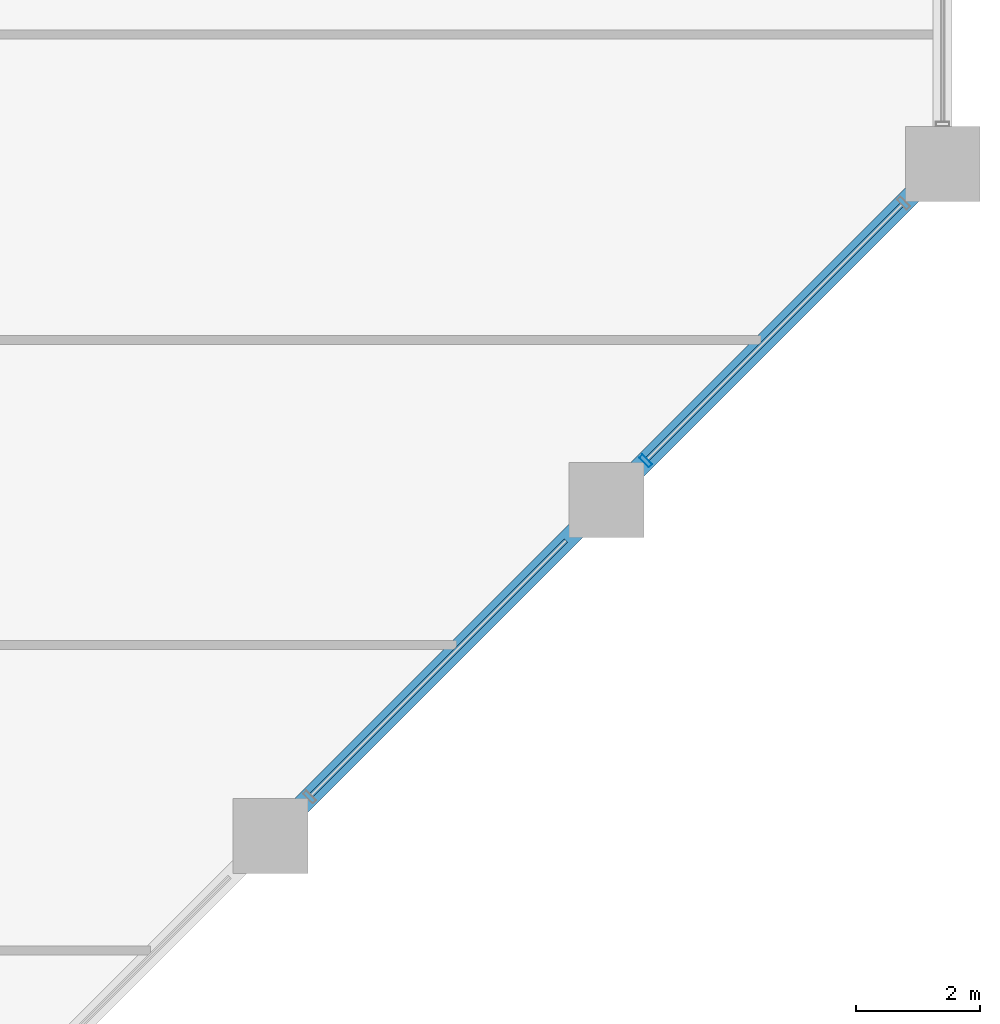
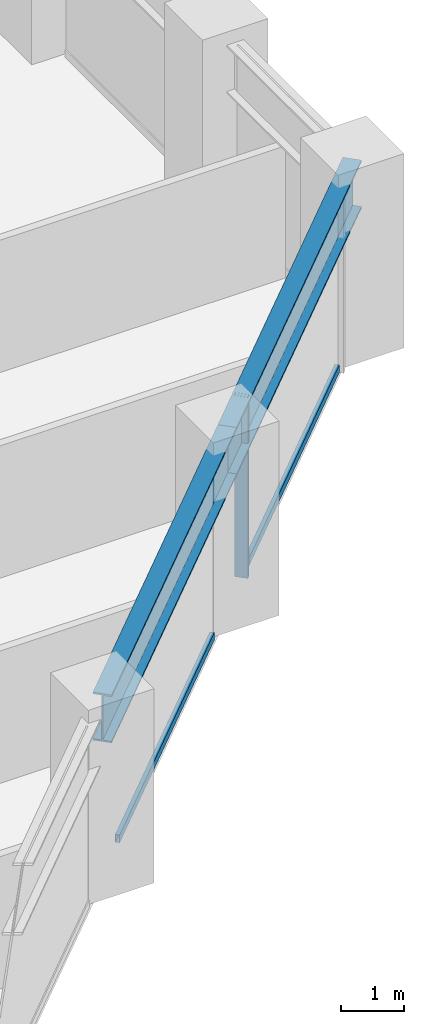
# One storey, part 9 of 26: 3 members, 2 beams, 1 element without a shape of its own.
"""IFC4 building model written with IfcOpenShell, lengths in metres."""

import ifcopenshell
import ifcopenshell.guid

model = None  # the IFC model being written
_history = None  # IfcOwnerHistory: only IFC2X3 demands one
_inside = {}  # id of a spatial element -> (the spatial element, [elements in it])
_under = {}  # id of a project, library or spatial element -> (it, [spatial elements below it])
_declared = {}  # id of a project -> (the project, [libraries it declares])
_typed = {}  # id of a type object -> (the type object, [elements of that type])
_made_of = {}  # id of a material, layer set ... -> (it, [elements and type objects made of it])


def new_model(schema):
    """Start an empty IFC model of exactly this schema.

    Asked for "IFC4X3", IfcOpenShell would pick the latest addendum, in which some entities
    have other attributes; the version numbers below select the first issue.
    IFC2X3 requires an IfcOwnerHistory on every rooted entity: one is made here for all.
    """
    global model, _history
    if schema == "IFC4X3":
        model = ifcopenshell.file(schema_version=(4, 3, 0, 0))
    else:
        model = ifcopenshell.file(schema=schema)
    _inside.clear()
    _under.clear()
    _declared.clear()
    _typed.clear()
    _made_of.clear()
    _history = None
    if model.schema == "IFC2X3":
        org = make("IfcOrganization", Name="unknown")
        user = make(
            "IfcPersonAndOrganization",
            ThePerson=make("IfcPerson", FamilyName="unknown"),
            TheOrganization=org,
        )
        app = make(
            "IfcApplication",
            ApplicationDeveloper=org,
            Version="unknown",
            ApplicationFullName="unknown",
            ApplicationIdentifier="unknown",
        )
        _history = make(
            "IfcOwnerHistory",
            OwningUser=user,
            OwningApplication=app,
            ChangeAction="ADDED",
            CreationDate=0,
        )
    return model


def make(cls, **values):
    """One entity of the class cls with the attributes given. An attribute that is None is left unset."""
    return model.create_entity(
        cls, **{name: value for name, value in values.items() if value is not None}
    )


def rooted(cls, **values):
    """An entity with a GlobalId (a new one), such as an element, a storey or a relation."""
    return make(cls, GlobalId=ifcopenshell.guid.new(), OwnerHistory=_history, **values)


def si_unit(unit_type, name, prefix=None):
    """IfcSIUnit, for example si_unit("LENGTHUNIT", "METRE", prefix="MILLI")."""
    return make("IfcSIUnit", UnitType=unit_type, Prefix=prefix, Name=name)


def assignment(units):
    """IfcUnitAssignment: the units of a project."""
    return None if units is None else make("IfcUnitAssignment", Units=units)


def point(xyz):
    """IfcCartesianPoint."""
    return None if xyz is None else make("IfcCartesianPoint", Coordinates=xyz)


def direction(xyz):
    """IfcDirection."""
    return None if xyz is None else make("IfcDirection", DirectionRatios=xyz)


def frame(location, z_axis=None, x_axis=None):
    """IfcAxis2Placement3D, a coordinate frame: its origin and axes. An axis left out is left unset."""
    return make(
        "IfcAxis2Placement3D",
        Location=point(location),
        Axis=direction(z_axis),
        RefDirection=direction(x_axis),
    )


def frame_2d(location, x_axis=None):
    """IfcAxis2Placement2D, a coordinate frame in the plane: its origin and x axis."""
    return make(
        "IfcAxis2Placement2D", Location=point(location), RefDirection=direction(x_axis)
    )


def origin():
    """The frame at (0, 0, 0) with its axes left unset."""
    return frame((0.0, 0.0, 0.0))


def origin_2d():
    """The frame at (0, 0) in the plane with its x axis left unset."""
    return frame_2d((0.0, 0.0))


def place(relative_to, where):
    """IfcLocalPlacement: puts the frame where relative to a parent placement (None: the world)."""
    return make(
        "IfcLocalPlacement", PlacementRelTo=relative_to, RelativePlacement=where
    )


def context(
    kind, dimensions, precision=None, world=None, true_north=None, identifier=None
):
    """IfcGeometricRepresentationContext, for example the 3D "Model" context."""
    return make(
        "IfcGeometricRepresentationContext",
        ContextIdentifier=identifier,
        ContextType=kind,
        CoordinateSpaceDimension=dimensions,
        Precision=precision,
        WorldCoordinateSystem=world,
        TrueNorth=true_north,
    )


def subcontext(parent, identifier, kind, view, scale=None):
    """IfcGeometricRepresentationSubContext, for example "Body" below "Model"."""
    return make(
        "IfcGeometricRepresentationSubContext",
        ContextIdentifier=identifier,
        ContextType=kind,
        ParentContext=parent,
        TargetScale=scale,
        TargetView=view,
    )


def project(units=None, contexts=None):
    """IfcProject with its units and contexts."""
    return rooted(
        "IfcProject",
        Name="project",
        RepresentationContexts=contexts,
        UnitsInContext=assignment(units),
    )


def spatial(cls, under=None, at=None, **own):
    """A site, building, storey or space (cls), placed at a placement, below another one or the project."""
    s = rooted(cls, ObjectPlacement=at, **own)
    if under is not None:
        _under.setdefault(under.id(), (under, []))[1].append(s)
    return s


def profile(cls, at=None, kind="AREA", **sizes):
    """A parametric profile (cls). Its sizes go by their IFC names, for example OverallWidth=200.0."""
    return make(cls, ProfileType=kind, Position=at, **sizes)


def hollow_rectangle(**sizes):
    """IfcRectangleHollowProfileDef."""
    return profile("IfcRectangleHollowProfileDef", **sizes)


def i_section(**sizes):
    """IfcIShapeProfileDef."""
    return profile("IfcIShapeProfileDef", **sizes)


def extrude(swept, where, along, depth):
    """IfcExtrudedAreaSolid: the profile swept, set in the frame where, extruded along a direction by depth."""
    return make(
        "IfcExtrudedAreaSolid",
        SweptArea=swept,
        Position=where,
        ExtrudedDirection=direction(along),
        Depth=depth,
    )


def shape(context_of_items, identifier, shape_type, items):
    """IfcShapeRepresentation: the items that make up one representation, for example the "Body"."""
    return make(
        "IfcShapeRepresentation",
        ContextOfItems=context_of_items,
        RepresentationIdentifier=identifier,
        RepresentationType=shape_type,
        Items=items,
    )


def material(Name=None, Category=None):
    """IfcMaterial."""
    return make("IfcMaterial", Name=Name, Category=Category)


def layer(
    of_material, thickness, ventilated=None, Name=None, Category=None, Priority=None
):
    """IfcMaterialLayer: one layer of a wall or slab, of a material (None: an air gap)."""
    return make(
        "IfcMaterialLayer",
        Material=of_material,
        LayerThickness=thickness,
        IsVentilated=ventilated,
        Name=Name,
        Category=Category,
        Priority=Priority,
    )


def layer_set(layers, Name=None):
    """IfcMaterialLayerSet."""
    return make("IfcMaterialLayerSet", MaterialLayers=layers, LayerSetName=Name)


def material_profile(
    of_material, cross_section, Name=None, Category=None, Priority=None
):
    """IfcMaterialProfile: a cross section and its material."""
    return make(
        "IfcMaterialProfile",
        Name=Name,
        Material=of_material,
        Profile=cross_section,
        Priority=Priority,
        Category=Category,
    )


def profile_set(profiles, Name=None, composite=None):
    """IfcMaterialProfileSet."""
    return make(
        "IfcMaterialProfileSet",
        Name=Name,
        MaterialProfiles=profiles,
        CompositeProfile=composite,
    )


def made_of(thing, what):
    """Note that an element or type object is made of a material, layer set ...; save() writes the relation."""
    if what is not None:
        _made_of.setdefault(what.id(), (what, []))[1].append(thing)
    return thing


def type_object(cls, material=None, **own):
    """A type object (cls), such as IfcWallType, which elements share."""
    return made_of(rooted(cls, **own), material)


def element(
    cls,
    number,
    at=None,
    inside=None,
    cuts=None,
    type_object=None,
    material=None,
    context=None,
    identifier="Body",
    shape_type=None,
    held_by="IfcProductDefinitionShape",
    body=None,
    shapes=None,
    **own,
):
    """One element of the class cls, such as IfcWall. Its Tag is "e" and its number.

    at: its placement. inside: the storey or other place that contains it. cuts: it is an
    opening in that element (IfcRelVoidsElement). A single representation is given by context,
    identifier, shape_type and body (its items); several are given by shapes. held_by: the class
    of the entity that holds the representations. save() writes the other relations.
    """
    e = rooted(cls, Tag="e%d" % number, ObjectPlacement=at, **own)
    if body is not None:
        shapes = [shape(context, identifier, shape_type, body)]
    if shapes is not None:
        e.Representation = make(held_by, Representations=shapes)
    if inside is not None:
        _inside.setdefault(inside.id(), (inside, []))[1].append(e)
    if cuts is not None:
        rooted(
            "IfcRelVoidsElement", RelatingBuildingElement=cuts, RelatedOpeningElement=e
        )
    if type_object is not None:
        _typed.setdefault(type_object.id(), (type_object, []))[1].append(e)
    return made_of(e, material)


def aggregate(whole, parts):
    """IfcRelAggregates: a whole, such as a stair, and the parts it consists of."""
    return rooted("IfcRelAggregates", RelatingObject=whole, RelatedObjects=parts)


def save(model, path):
    """Write the relations noted so far, then the file.

    IfcRelAggregates (storeys below a building ...), IfcRelContainedInSpatialStructure (elements
    in a storey), IfcRelDefinesByType, IfcRelAssociatesMaterial and IfcRelDeclares: one each for
    every whole, place, type object, material and project.
    """
    for whole, parts in _under.values():
        aggregate(whole, parts)
    for where, things in _inside.values():
        rooted(
            "IfcRelContainedInSpatialStructure",
            RelatedElements=things,
            RelatingStructure=where,
        )
    for kind, things in _typed.values():
        rooted("IfcRelDefinesByType", RelatedObjects=things, RelatingType=kind)
    for what, things in _made_of.values():
        rooted("IfcRelAssociatesMaterial", RelatedObjects=things, RelatingMaterial=what)
    for by, libraries in _declared.values():
        rooted("IfcRelDeclares", RelatingContext=by, RelatedDefinitions=libraries)
    model.write(path)


model = new_model("IFC4")

# Units and contexts
model_context = context("Model", 3, precision=1e-05, world=origin(), true_north=direction((0.0, 1.0)))
body_context = subcontext(model_context, "Body", "Model", "MODEL_VIEW")
ifc_project = project(units=[si_unit("LENGTHUNIT", "METRE"), si_unit("AREAUNIT", "SQUARE_METRE"), si_unit("VOLUMEUNIT", "CUBIC_METRE"), si_unit("PLANEANGLEUNIT", "RADIAN"), si_unit("MASSUNIT", "GRAM", prefix="KILO")], contexts=[model_context])

# Site, building, storey
site_placement = place(None, origin())
site = spatial("IfcSite", under=ifc_project, at=site_placement, CompositionType="ELEMENT")
building_placement = place(site_placement, origin())
building = spatial("IfcBuilding", under=site, at=building_placement, Name="Surkhivell Harbour Commons", CompositionType="ELEMENT")
storey_placement = place(building_placement, frame((0.0, 0.0, 75.0)))
storey = spatial("IfcBuildingStorey", under=building, at=storey_placement, Name="L19", CompositionType="ELEMENT", Elevation=75.0)

# Beams
ifc_material_1 = material(Name="Steel S460", Category="steel")
ifc_material_profile_1 = material_profile(ifc_material_1, i_section(OverallWidth=0.30810546875, OverallDepth=0.927001953125, WebThickness=0.01953125, FlangeThickness=0.031982421875, at=origin_2d()), Name="UB914x305x289")
ifc_profile_set_1 = profile_set([ifc_material_profile_1], Name="Steel S460")
beam_type = type_object("IfcBeamType", Name="BM-SPN-914B", PredefinedType="SPANDREL", material=ifc_profile_set_1)
for number, where, z_axis, x_axis, name in (
    (1, (21.60009765625, -4.300048828125, 3.03662109375), (0.707090796496, 0.707122765516, 0.0), (-0.707122765516, 0.707090796496, 0.0), "L19 Tube Spandrel (21.6,-4.3)"),
    (2, (27.0, 1.10009765625, 3.03662109375), (0.707106781187, 0.707106781187, 0.0), (-0.707106781187, 0.707106781187, 0.0), "L19 Tube Spandrel (27.0,1.1)"),
):
    element("IfcBeam", number, at=place(storey_placement, frame(where, z_axis=z_axis, x_axis=x_axis)), inside=storey, type_object=beam_type, Name=name, PredefinedType="SPANDREL", context=body_context, shape_type="SweptSolid", body=[
        extrude(i_section(OverallWidth=0.30810546875, OverallDepth=0.927001953125, WebThickness=0.01953125, FlangeThickness=0.031982421875, at=origin_2d()), origin(), (0.0, 0.0, 1.0), 7.63671875),
    ])

# Curtain wall, members
ifc_material_2 = material(Name="Anodised pale-metal aluminium and insulated glazing", Category="aluminium")
ifc_layer = layer(ifc_material_2, 0.219970703125)
ifc_layer_set = layer_set([ifc_layer], Name="Anodised pale-metal aluminium and insulated glazing")
curtain_wall_type = type_object("IfcCurtainWallType", Name="CW-SYS-Z1", PredefinedType="NOTDEFINED", material=ifc_layer_set)
curtain_wall_placement = place(storey_placement, origin())
curtain_wall = element("IfcCurtainWall", 3, at=curtain_wall_placement, inside=storey, type_object=curtain_wall_type, Name="L19 Curtain Wall CW-L19-E01", PredefinedType="NOTDEFINED")
ifc_material_3 = material(Name="Anodised pale-metal aluminium alloy 6063-T6", Category="aluminium")
ifc_material_profile_2 = material_profile(ifc_material_3, hollow_rectangle(XDim=0.074951171875, YDim=0.219970703125, WallThickness=0.00390625, at=origin_2d()), Name="ALU-MULL-75x220")
ifc_profile_set_2 = profile_set([ifc_material_profile_2], Name="Anodised pale-metal aluminium alloy 6063-T6")
member_type_1 = type_object("IfcMemberType", Name="CWM-220", PredefinedType="MULLION", material=ifc_profile_set_2)
member_1_placement = place(storey_placement, frame((27.628173828125, 1.728271484375, 0.0), z_axis=(0.0, 0.0, 1.0), x_axis=(0.707106781187, 0.707106781187, 0.0)))
member_1 = element("IfcMember", 4, at=member_1_placement, type_object=member_type_1, Name="CW-Z1 mullion 7", PredefinedType="MULLION", context=body_context, shape_type="SweptSolid", body=[
    extrude(hollow_rectangle(XDim=0.074951171875, YDim=0.219970703125, WallThickness=0.00390625, at=origin_2d()), origin(), (0.0, 0.0, 1.0), 3.5),
])
ifc_material_profile_3 = material_profile(ifc_material_3, hollow_rectangle(XDim=0.074951171875, YDim=0.14990234375, WallThickness=0.00341796875, at=origin_2d()), Name="ALU-TRAN-75x150")
ifc_profile_set_3 = profile_set([ifc_material_profile_3], Name="Anodised pale-metal aluminium alloy 6063-T6")
member_type_2 = type_object("IfcMemberType", Name="CWT-150", PredefinedType="USERDEFINED", material=ifc_profile_set_3)
member_2_placement = place(storey_placement, frame((22.2548828125, -3.645263671875, 0.074951171875), z_axis=(0.707085678876, 0.707127882868, 0.0), x_axis=(-0.707127882868, 0.707085678876, 0.0)))
member_2 = element("IfcMember", 5, at=member_2_placement, type_object=member_type_2, Name="CW-Z1 transom 6.1", ObjectType="TRANSOM", PredefinedType="USERDEFINED", context=body_context, shape_type="SweptSolid", body=[
    extrude(hollow_rectangle(XDim=0.074951171875, YDim=0.14990234375, WallThickness=0.00341796875, at=origin_2d()), origin(), (0.0, 0.0, 1.0), 5.78466796875),
])
member_3_placement = place(storey_placement, frame((27.65478515625, 1.7548828125, 0.074951171875), z_axis=(0.707106781187, 0.707106781187, 0.0), x_axis=(-0.707106781187, 0.707106781187, 0.0)))
member_3 = element("IfcMember", 6, at=member_3_placement, type_object=member_type_2, Name="CW-Z1 transom 7.1", ObjectType="TRANSOM", PredefinedType="USERDEFINED", context=body_context, shape_type="SweptSolid", body=[
    extrude(hollow_rectangle(XDim=0.074951171875, YDim=0.14990234375, WallThickness=0.00341796875, at=origin_2d()), origin(), (0.0, 0.0, 1.0), 5.78466796875),
])
aggregate(curtain_wall, [member_2, member_1, member_3])

save(model, "model.ifc")
